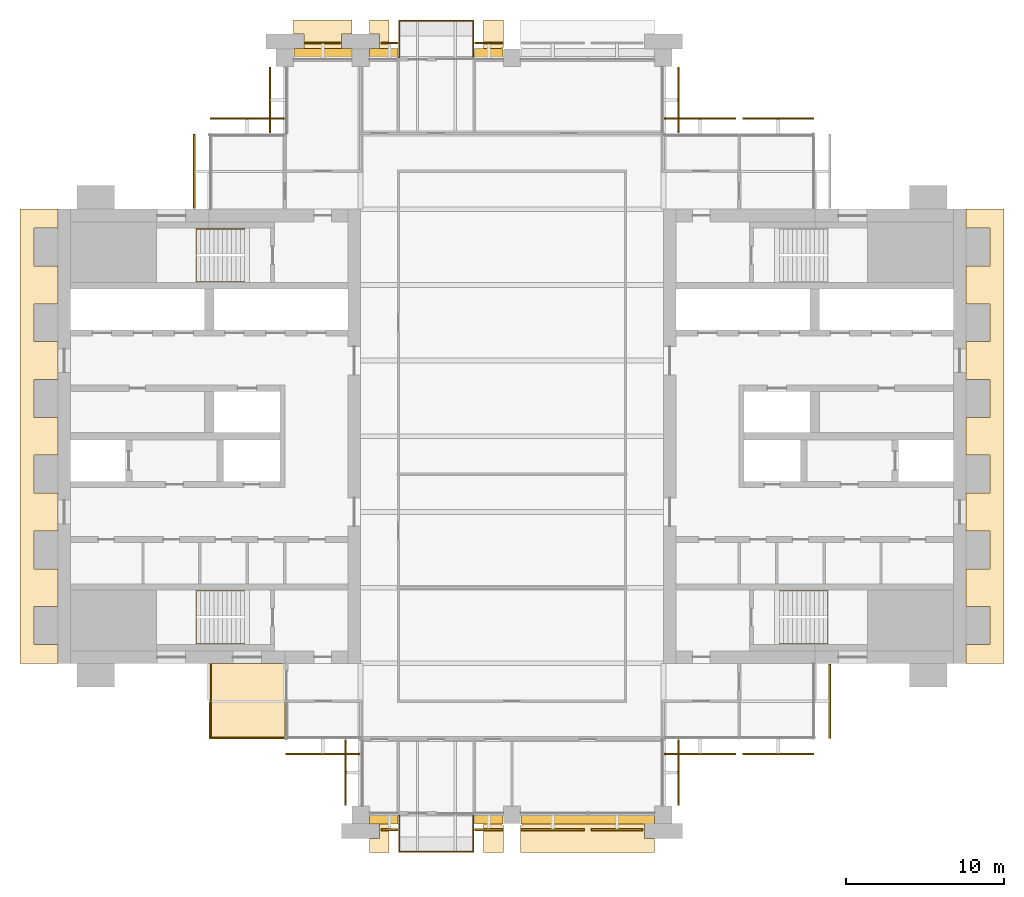
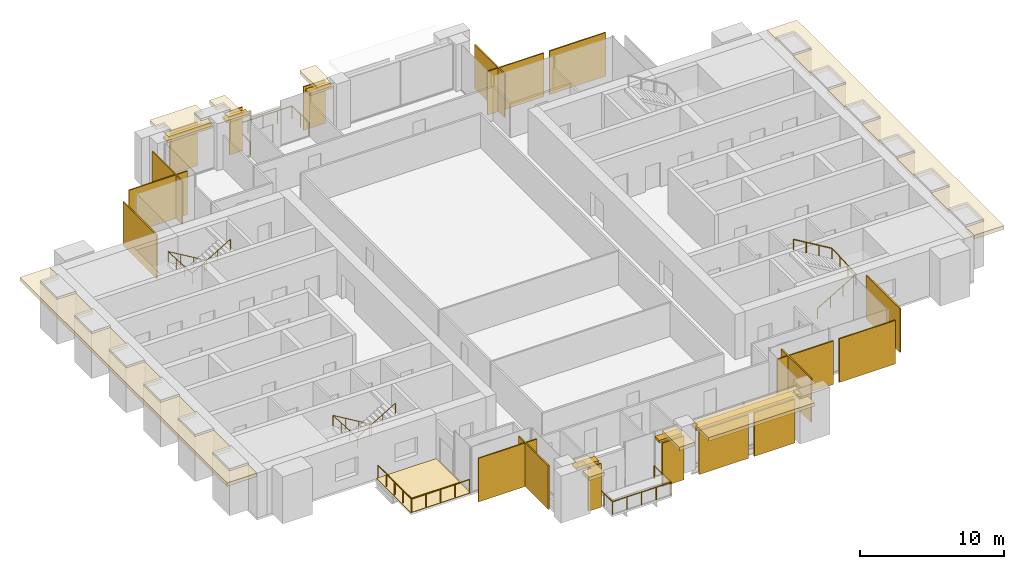
# One storey, part 13 of 14: 28 coverings, 6 railings, 6 shading devices.
"""IFC4 building model written with IfcOpenShell, lengths in metres."""

from ifc_helpers import new_model, si_unit, direction, frame, origin, origin_2d, place, context, subcontext, project, spatial, polyline, rectangle, circle, outline, extrude, material, layer, layer_set, type_object, element, save


model = new_model("IFC4")

# Units and contexts
model_context = context("Model", 3, precision=1e-05, world=origin(), true_north=direction((0.0, 1.0)))
body_context = subcontext(model_context, "Body", "Model", "MODEL_VIEW")
ifc_project = project(units=[si_unit("LENGTHUNIT", "METRE"), si_unit("AREAUNIT", "SQUARE_METRE"), si_unit("VOLUMEUNIT", "CUBIC_METRE"), si_unit("PLANEANGLEUNIT", "RADIAN"), si_unit("MASSUNIT", "GRAM", prefix="KILO")], contexts=[model_context])

# Site, building, storey
site_placement = place(None, origin())
site = spatial("IfcSite", under=ifc_project, at=site_placement, CompositionType="ELEMENT")
building_placement = place(site_placement, origin())
building = spatial("IfcBuilding", under=site, at=building_placement, Name="Baori Bourse Tower", CompositionType="ELEMENT")
storey_placement = place(building_placement, frame((0.0, 0.0, 209.199951171875)))
storey = spatial("IfcBuildingStorey", under=building, at=storey_placement, Name="L45", CompositionType="ELEMENT", Elevation=209.199951171875)

# Coverings
ifc_material_1 = material(Name="Pale anodised aluminium", Category="aluminium")
covering_type_1 = type_object("IfcCoveringType", Name="BD1 Pale metal band", PredefinedType="CLADDING", material=ifc_material_1)
covering_1_placement = place(storey_placement, frame((0.0, 0.0, 3.5400390625)))
element("IfcCovering", 1, at=covering_1_placement, inside=storey, type_object=covering_type_1, Name="Pale projecting band L45 1", PredefinedType="CLADDING", context=body_context, shape_type="SweptSolid", body=[
    extrude(outline(polyline([(57.60009765625, 10.800048828125), (57.60009765625, 9.60009765625), (60.0, 9.60009765625), (60.0, 38.39990234375), (57.60009765625, 38.39990234375), (57.60009765625, 37.199951171875), (59.10009765625, 37.199951171875), (59.10009765625, 34.800048828125), (57.60009765625, 34.800048828125), (57.60009765625, 32.39990234375), (59.10009765625, 32.39990234375), (59.10009765625, 30.0), (57.60009765625, 30.0), (57.60009765625, 27.60009765625), (59.10009765625, 27.60009765625), (59.10009765625, 25.199951171875), (57.60009765625, 25.199951171875), (57.60009765625, 22.800048828125), (59.10009765625, 22.800048828125), (59.10009765625, 20.39990234375), (57.60009765625, 20.39990234375), (57.60009765625, 18.0), (59.10009765625, 18.0), (59.10009765625, 15.60009765625), (57.60009765625, 15.60009765625), (57.60009765625, 13.199951171875), (59.10009765625, 13.199951171875), (59.10009765625, 10.800048828125), (57.60009765625, 10.800048828125)])), origin(), (0.0, 0.0, 1.0), 0.300048828125),
])
covering_2_placement = place(storey_placement, frame((0.0, 0.0, 3.5400390625)))
element("IfcCovering", 2, at=covering_2_placement, inside=storey, type_object=covering_type_1, Name="Pale projecting band L45 3", PredefinedType="CLADDING", context=body_context, shape_type="SweptSolid", body=[
    extrude(outline(polyline([(27.0, 48.0), (28.1298828125, 48.0), (28.1298828125, 48.669921875), (28.25, 48.669921875), (28.25, 50.39990234375), (27.0, 50.39990234375), (27.0, 48.0)])), origin(), (0.0, 0.0, 1.0), 0.300048828125),
])
covering_3_placement = place(storey_placement, frame((0.0, 0.0, 3.5400390625)))
element("IfcCovering", 3, at=covering_3_placement, inside=storey, type_object=covering_type_1, Name="Pale projecting band L45 4", PredefinedType="CLADDING", context=body_context, shape_type="SweptSolid", body=[
    extrude(outline(polyline([(19.8701171875, 48.0), (21.0, 48.0), (21.0, 50.39990234375), (19.75, 50.39990234375), (19.75, 49.5), (20.39990234375, 49.5), (20.39990234375, 48.550048828125), (19.8701171875, 48.550048828125), (19.8701171875, 48.0)])), origin(), (0.0, 0.0, 1.0), 0.300048828125),
])
covering_4_placement = place(storey_placement, frame((0.0, 0.0, 3.5400390625)))
element("IfcCovering", 4, at=covering_4_placement, inside=storey, type_object=covering_type_1, Name="Pale projecting band L45 5", PredefinedType="CLADDING", context=body_context, shape_type="SweptSolid", body=[
    extrude(outline(polyline([(15.070068359375, 48.0), (18.530029296875, 48.0), (18.530029296875, 48.550048828125), (18.0, 48.550048828125), (18.0, 49.5), (18.64990234375, 49.5), (18.64990234375, 50.39990234375), (14.949951171875, 50.39990234375), (14.949951171875, 49.5), (15.60009765625, 49.5), (15.60009765625, 48.550048828125), (15.070068359375, 48.550048828125), (15.070068359375, 48.0)])), origin(), (0.0, 0.0, 1.0), 0.300048828125),
])
covering_5_placement = place(storey_placement, frame((0.0, 0.0, 3.5400390625)))
element("IfcCovering", 5, at=covering_5_placement, inside=storey, type_object=covering_type_1, Name="Pale projecting band L45 6", PredefinedType="CLADDING", context=body_context, shape_type="SweptSolid", body=[
    extrude(outline(polyline([(0.0, 37.199951171875), (0.0, 38.39990234375), (-2.39990234375, 38.39990234375), (-2.39990234375, 9.60009765625), (0.0, 9.60009765625), (0.0, 10.800048828125), (-1.5, 10.800048828125), (-1.5, 13.199951171875), (0.0, 13.199951171875), (0.0, 15.60009765625), (-1.5, 15.60009765625), (-1.5, 18.0), (0.0, 18.0), (0.0, 20.39990234375), (-1.5, 20.39990234375), (-1.5, 22.800048828125), (0.0, 22.800048828125), (0.0, 25.199951171875), (-1.5, 25.199951171875), (-1.5, 27.60009765625), (0.0, 27.60009765625), (0.0, 30.0), (-1.5, 30.0), (-1.5, 32.39990234375), (0.0, 32.39990234375), (0.0, 34.800048828125), (-1.5, 34.800048828125), (-1.5, 37.199951171875), (0.0, 37.199951171875)])), origin(), (0.0, 0.0, 1.0), 0.300048828125),
])
covering_6_placement = place(storey_placement, frame((0.0, 0.0, 3.5400390625)))
element("IfcCovering", 6, at=covering_6_placement, inside=storey, type_object=covering_type_1, Name="Pale projecting band L45 7", PredefinedType="CLADDING", context=body_context, shape_type="SweptSolid", body=[
    extrude(outline(polyline([(21.0, 0.0), (19.8701171875, 0.0), (19.8701171875, -0.550048828125), (20.39990234375, -0.550048828125), (20.39990234375, -1.5), (19.75, -1.5), (19.75, -2.39990234375), (21.0, -2.39990234375), (21.0, 0.0)])), origin(), (0.0, 0.0, 1.0), 0.300048828125),
])
covering_7_placement = place(storey_placement, frame((0.0, 0.0, 3.5400390625)))
element("IfcCovering", 7, at=covering_7_placement, inside=storey, type_object=covering_type_1, Name="Pale projecting band L45 8", PredefinedType="CLADDING", context=body_context, shape_type="SweptSolid", body=[
    extrude(outline(polyline([(28.1298828125, 0.0), (27.0, 0.0), (27.0, -2.39990234375), (28.25, -2.39990234375), (28.25, -0.669921875), (28.1298828125, -0.669921875), (28.1298828125, 0.0)])), origin(), (0.0, 0.0, 1.0), 0.300048828125),
])
covering_8_placement = place(storey_placement, frame((0.0, 0.0, 3.5400390625)))
element("IfcCovering", 8, at=covering_8_placement, inside=storey, type_object=covering_type_1, Name="Pale projecting band L45 9", PredefinedType="CLADDING", context=body_context, shape_type="SweptSolid", body=[
    extrude(outline(polyline([(37.72998046875, 0.0), (29.469970703125, 0.0), (29.469970703125, -0.669921875), (29.35009765625, -0.669921875), (29.35009765625, -2.39990234375), (37.85009765625, -2.39990234375), (37.85009765625, -1.5), (37.199951171875, -1.5), (37.199951171875, -0.550048828125), (37.72998046875, -0.550048828125), (37.72998046875, 0.0)])), origin(), (0.0, 0.0, 1.0), 0.300048828125),
])

# Shading devices
ifc_material_2 = material(Name="Concrete f'c 40 MPa", Category="concrete")
ifc_layer_1 = layer(ifc_material_2, 0.199951171875)
ifc_layer_set_1 = layer_set([ifc_layer_1], Name="BS1 Brise-soleil ledge")
shading_device_type = type_object("IfcShadingDeviceType", Name="BS1 Brise-soleil ledge", PredefinedType="USERDEFINED", material=ifc_layer_set_1)
for number, where, z_axis, x_axis, name in (
    (9, (27.324951171875, 48.300048828125, 3.33984375), (0.0, 0.0, 1.0), (-1.0, 0.0, 0.0), "Brise-soleil ledge L45 2"),
    (10, (20.675048828125, 48.300048828125, 3.33984375), (0.0, 0.0, 1.0), (-1.0, 0.0, 0.0), "Brise-soleil ledge L45 3"),
):
    element("IfcShadingDevice", number, at=place(storey_placement, frame(where, z_axis=z_axis, x_axis=x_axis)), inside=storey, type_object=shading_device_type, Name=name, ObjectType="BRISE SOLEIL", PredefinedType="USERDEFINED", context=body_context, shape_type="SweptSolid", body=[
        extrude(rectangle(XDim=1.81005859375, YDim=0.60009765625, at=origin_2d()), origin(), (0.0, 0.0, 1.0), 0.199951171875),
    ])
shading_device_1_placement = place(storey_placement, frame((16.800048828125, 48.300048828125, 3.33984375), z_axis=(0.0, 0.0, 1.0), x_axis=(-1.0, 0.0, 0.0)))
element("IfcShadingDevice", 11, at=shading_device_1_placement, inside=storey, type_object=shading_device_type, Name="Brise-soleil ledge L45 4", ObjectType="BRISE SOLEIL", PredefinedType="USERDEFINED", context=body_context, shape_type="SweptSolid", body=[
    extrude(rectangle(XDim=3.659912109375, YDim=0.60009765625, at=origin_2d()), origin(), (0.0, 0.0, 1.0), 0.199951171875),
])
for number, where, z_axis, x_axis, name in (
    (12, (20.675048828125, -0.300048828125, 3.33984375), (0.0, 0.0, 1.0), (1.0, 0.0, 0.0), "Brise-soleil ledge L45 5"),
    (13, (27.324951171875, -0.300048828125, 3.33984375), (0.0, 0.0, 1.0), (1.0, 0.0, 0.0), "Brise-soleil ledge L45 6"),
):
    element("IfcShadingDevice", number, at=place(storey_placement, frame(where, z_axis=z_axis, x_axis=x_axis)), inside=storey, type_object=shading_device_type, Name=name, ObjectType="BRISE SOLEIL", PredefinedType="USERDEFINED", context=body_context, shape_type="SweptSolid", body=[
        extrude(rectangle(XDim=1.81005859375, YDim=0.60009765625, at=origin_2d()), origin(), (0.0, 0.0, 1.0), 0.199951171875),
    ])
shading_device_2_placement = place(storey_placement, frame((33.60009765625, -0.300048828125, 3.33984375), z_axis=(0.0, 0.0, 1.0), x_axis=(1.0, 0.0, 0.0)))
element("IfcShadingDevice", 14, at=shading_device_2_placement, inside=storey, type_object=shading_device_type, Name="Brise-soleil ledge L45 7", ObjectType="BRISE SOLEIL", PredefinedType="USERDEFINED", context=body_context, shape_type="SweptSolid", body=[
    extrude(rectangle(XDim=8.4599609375, YDim=0.60009765625, at=origin_2d()), origin(), (0.0, 0.0, 1.0), 0.199951171875),
])

# Railings
ifc_material_3 = material(Name="Powder-coated steel balustrade", Category="steel")
railing_type_1 = type_object("IfcRailingType", Name="Core stair handrail", PredefinedType="HANDRAIL", material=ifc_material_3)
railing_1_placement = place(storey_placement, frame((11.85009765625, 14.199951171875, 0.166748046875)))
element("IfcRailing", 15, at=railing_1_placement, inside=storey, type_object=railing_type_1, Name="L45 ST1 stair handrail 1", PredefinedType="HANDRAIL", context=body_context, shape_type="SweptSolid", body=[
    extrude(circle(Radius=0.02392578125, at=origin_2d()), frame((0.0, 0.0, 0.8759765625), z_axis=(-0.859308565015, 0.0, 0.511457515432), x_axis=(0.0, -1.0, 0.0)), (0.0, 0.0, 1.0), 3.58447265625),
    extrude(circle(Radius=0.02392578125, at=origin_2d()), frame((-3.080078125, 0.0, 2.708984375), z_axis=(0.0, -0.998763387249, 0.04971615724), x_axis=(1.0, 0.0, 0.0)), (0.0, 0.0, 1.0), 3.35400390625),
    extrude(circle(Radius=0.02392578125, at=origin_2d()), frame((-3.080078125, -3.349853515625, 2.8759765625), z_axis=(0.859308565015, 0.0, 0.511457515432), x_axis=(0.0, 1.0, 0.0)), (0.0, 0.0, 1.0), 3.58447265625),
    extrude(circle(Radius=0.02099609375, at=origin_2d()), origin(), (0.0, 0.0, 1.0), 0.851806640625),
    extrude(circle(Radius=0.02099609375, at=origin_2d()), frame((-1.026611328125, 0.0, 0.611083984375)), (0.0, 0.0, 1.0), 0.851806640625),
    extrude(circle(Radius=0.02099609375, at=origin_2d()), frame((-2.053466796875, 0.0, 1.22216796875)), (0.0, 0.0, 1.0), 0.851806640625),
    extrude(circle(Radius=0.02099609375, at=origin_2d()), frame((-3.080078125, 0.0, 1.833251953125)), (0.0, 0.0, 1.0), 0.851806640625),
    extrude(circle(Radius=0.02099609375, at=origin_2d()), frame((-3.080078125, -1.11669921875, 1.888916015625)), (0.0, 0.0, 1.0), 0.851806640625),
    extrude(circle(Radius=0.02099609375, at=origin_2d()), frame((-3.080078125, -2.233154296875, 1.9443359375)), (0.0, 0.0, 1.0), 0.851806640625),
    extrude(circle(Radius=0.02099609375, at=origin_2d()), frame((-3.080078125, -3.349853515625, 2.0)), (0.0, 0.0, 1.0), 0.851806640625),
    extrude(circle(Radius=0.02099609375, at=origin_2d()), frame((-2.053466796875, -3.349853515625, 2.611083984375)), (0.0, 0.0, 1.0), 0.851806640625),
    extrude(circle(Radius=0.02099609375, at=origin_2d()), frame((-1.026611328125, -3.349853515625, 3.22216796875)), (0.0, 0.0, 1.0), 0.851806640625),
    extrude(circle(Radius=0.02099609375, at=origin_2d()), frame((0.0, -3.349853515625, 3.833251953125)), (0.0, 0.0, 1.0), 0.851806640625),
])
railing_2_placement = place(storey_placement, frame((11.85009765625, 37.14990234375, 0.166748046875)))
element("IfcRailing", 16, at=railing_2_placement, inside=storey, type_object=railing_type_1, Name="L45 ST2 stair handrail 1", PredefinedType="HANDRAIL", context=body_context, shape_type="SweptSolid", body=[
    extrude(circle(Radius=0.02392578125, at=origin_2d()), frame((0.0, 0.0, 0.8759765625), z_axis=(-0.859308565015, 0.0, 0.511457515432), x_axis=(0.0, -1.0, 0.0)), (0.0, 0.0, 1.0), 3.58447265625),
    extrude(circle(Radius=0.02392578125, at=origin_2d()), frame((-3.080078125, 0.0, 2.708984375), z_axis=(0.0, -0.998763387249, 0.04971615724), x_axis=(1.0, 0.0, 0.0)), (0.0, 0.0, 1.0), 3.35400390625),
    extrude(circle(Radius=0.02392578125, at=origin_2d()), frame((-3.080078125, -3.349853515625, 2.8759765625), z_axis=(0.859308565015, 0.0, 0.511457515432), x_axis=(0.0, 1.0, 0.0)), (0.0, 0.0, 1.0), 3.58447265625),
    extrude(circle(Radius=0.02099609375, at=origin_2d()), origin(), (0.0, 0.0, 1.0), 0.851806640625),
    extrude(circle(Radius=0.02099609375, at=origin_2d()), frame((-1.026611328125, 0.0, 0.611083984375)), (0.0, 0.0, 1.0), 0.851806640625),
    extrude(circle(Radius=0.02099609375, at=origin_2d()), frame((-2.053466796875, 0.0, 1.22216796875)), (0.0, 0.0, 1.0), 0.851806640625),
    extrude(circle(Radius=0.02099609375, at=origin_2d()), frame((-3.080078125, 0.0, 1.833251953125)), (0.0, 0.0, 1.0), 0.851806640625),
    extrude(circle(Radius=0.02099609375, at=origin_2d()), frame((-3.080078125, -1.11669921875, 1.888916015625)), (0.0, 0.0, 1.0), 0.851806640625),
    extrude(circle(Radius=0.02099609375, at=origin_2d()), frame((-3.080078125, -2.233154296875, 1.9443359375)), (0.0, 0.0, 1.0), 0.851806640625),
    extrude(circle(Radius=0.02099609375, at=origin_2d()), frame((-3.080078125, -3.349853515625, 2.0)), (0.0, 0.0, 1.0), 0.851806640625),
    extrude(circle(Radius=0.02099609375, at=origin_2d()), frame((-2.053466796875, -3.349853515625, 2.611083984375)), (0.0, 0.0, 1.0), 0.851806640625),
    extrude(circle(Radius=0.02099609375, at=origin_2d()), frame((-1.026611328125, -3.349853515625, 3.22216796875)), (0.0, 0.0, 1.0), 0.851806640625),
    extrude(circle(Radius=0.02099609375, at=origin_2d()), frame((0.0, -3.349853515625, 3.833251953125)), (0.0, 0.0, 1.0), 0.851806640625),
])
railing_3_placement = place(storey_placement, frame((45.75, 10.85009765625, 0.166748046875)))
element("IfcRailing", 17, at=railing_3_placement, inside=storey, type_object=railing_type_1, Name="L45 ST3 stair handrail 1", PredefinedType="HANDRAIL", context=body_context, shape_type="SweptSolid", body=[
    extrude(circle(Radius=0.02392578125, at=origin_2d()), frame((0.0, 0.0, 0.8759765625), z_axis=(0.859308565015, 0.0, 0.511457515432), x_axis=(0.0, 1.0, 0.0)), (0.0, 0.0, 1.0), 3.58447265625),
    extrude(circle(Radius=0.02392578125, at=origin_2d()), frame((3.080078125, 0.0, 2.708984375), z_axis=(0.0, 0.998763387249, 0.04971615724), x_axis=(-1.0, 0.0, 0.0)), (0.0, 0.0, 1.0), 3.35400390625),
    extrude(circle(Radius=0.02392578125, at=origin_2d()), frame((3.080078125, 3.349853515625, 2.8759765625), z_axis=(-0.859308565015, 0.0, 0.511457515432), x_axis=(0.0, -1.0, 0.0)), (0.0, 0.0, 1.0), 3.58447265625),
    extrude(circle(Radius=0.02099609375, at=origin_2d()), origin(), (0.0, 0.0, 1.0), 0.851806640625),
    extrude(circle(Radius=0.02099609375, at=origin_2d()), frame((1.026611328125, 0.0, 0.611083984375)), (0.0, 0.0, 1.0), 0.851806640625),
    extrude(circle(Radius=0.02099609375, at=origin_2d()), frame((2.053466796875, 0.0, 1.22216796875)), (0.0, 0.0, 1.0), 0.851806640625),
    extrude(circle(Radius=0.02099609375, at=origin_2d()), frame((3.080078125, 0.0, 1.833251953125)), (0.0, 0.0, 1.0), 0.851806640625),
    extrude(circle(Radius=0.02099609375, at=origin_2d()), frame((3.080078125, 1.11669921875, 1.888916015625)), (0.0, 0.0, 1.0), 0.851806640625),
    extrude(circle(Radius=0.02099609375, at=origin_2d()), frame((3.080078125, 2.233154296875, 1.9443359375)), (0.0, 0.0, 1.0), 0.851806640625),
    extrude(circle(Radius=0.02099609375, at=origin_2d()), frame((3.080078125, 3.349853515625, 2.0)), (0.0, 0.0, 1.0), 0.851806640625),
    extrude(circle(Radius=0.02099609375, at=origin_2d()), frame((2.053466796875, 3.349853515625, 2.611083984375)), (0.0, 0.0, 1.0), 0.851806640625),
    extrude(circle(Radius=0.02099609375, at=origin_2d()), frame((1.026611328125, 3.349853515625, 3.22216796875)), (0.0, 0.0, 1.0), 0.851806640625),
    extrude(circle(Radius=0.02099609375, at=origin_2d()), frame((0.0, 3.349853515625, 3.833251953125)), (0.0, 0.0, 1.0), 0.851806640625),
])
ifc_material_4 = material(Name="Stainless steel", Category="steel")
railing_type_2 = type_object("IfcRailingType", Name="GD1 Guard", PredefinedType="GUARDRAIL", material=ifc_material_4)
railing_4_placement = place(storey_placement, frame((14.3701171875, 4.89990234375, 0.0400390625)))
element("IfcRailing", 18, at=railing_4_placement, inside=storey, type_object=railing_type_2, Name="Guard terrace SW L45 1", PredefinedType="GUARDRAIL", context=body_context, shape_type="SweptSolid", body=[
    extrude(circle(Radius=0.02392578125, at=origin_2d()), frame((0.0, 0.0, 1.076171875), z_axis=(-1.0, 0.0, 0.0), x_axis=(0.0, -1.0, 0.0)), (0.0, 0.0, 1.0), 4.670166015625),
    extrude(circle(Radius=0.02392578125, at=origin_2d()), frame((-4.670166015625, 0.0, 1.076171875), z_axis=(0.0, 1.0, 0.0), x_axis=(-1.0, 0.0, 0.0)), (0.0, 0.0, 1.0), 4.670166015625),
    extrude(circle(Radius=0.02099609375, at=origin_2d()), origin(), (0.0, 0.0, 1.0), 1.052001953125),
    extrude(circle(Radius=0.02099609375, at=origin_2d()), frame((-1.16748046875, 0.0, 0.0)), (0.0, 0.0, 1.0), 1.052001953125),
    extrude(circle(Radius=0.02099609375, at=origin_2d()), frame((-2.3349609375, 0.0, 0.0)), (0.0, 0.0, 1.0), 1.052001953125),
    extrude(circle(Radius=0.02099609375, at=origin_2d()), frame((-3.502685546875, 0.0, 0.0)), (0.0, 0.0, 1.0), 1.052001953125),
    extrude(circle(Radius=0.02099609375, at=origin_2d()), frame((-4.670166015625, 0.0, 0.0)), (0.0, 0.0, 1.0), 1.052001953125),
    extrude(circle(Radius=0.02099609375, at=origin_2d()), frame((-4.670166015625, 1.16748046875, 0.0)), (0.0, 0.0, 1.0), 1.052001953125),
    extrude(circle(Radius=0.02099609375, at=origin_2d()), frame((-4.670166015625, 2.3349609375, 0.0)), (0.0, 0.0, 1.0), 1.052001953125),
    extrude(circle(Radius=0.02099609375, at=origin_2d()), frame((-4.670166015625, 3.502685546875, 0.0)), (0.0, 0.0, 1.0), 1.052001953125),
    extrude(circle(Radius=0.02099609375, at=origin_2d()), frame((-4.670166015625, 4.670166015625, 0.0)), (0.0, 0.0, 1.0), 1.052001953125),
])
railing_5_placement = place(storey_placement, frame((21.64990234375, -0.030029296875, 0.0)))
element("IfcRailing", 19, at=railing_5_placement, inside=storey, type_object=railing_type_2, Name="Guard balcony S L45 2", PredefinedType="GUARDRAIL", context=body_context, shape_type="SweptSolid", body=[
    extrude(circle(Radius=0.02392578125, at=origin_2d()), frame((0.0, 0.0, 1.076171875), z_axis=(0.0, -1.0, 0.0), x_axis=(1.0, 0.0, 0.0)), (0.0, 0.0, 1.0), 2.320068359375),
    extrude(circle(Radius=0.02392578125, at=origin_2d()), frame((0.0, -2.320068359375, 1.076171875), z_axis=(1.0, 0.0, 0.0), x_axis=(0.0, 1.0, 0.0)), (0.0, 0.0, 1.0), 4.7001953125),
    extrude(circle(Radius=0.02392578125, at=origin_2d()), frame((4.7001953125, -2.320068359375, 1.076171875), z_axis=(0.0, 1.0, 0.0), x_axis=(-1.0, 0.0, 0.0)), (0.0, 0.0, 1.0), 2.320068359375),
    extrude(circle(Radius=0.02099609375, at=origin_2d()), origin(), (0.0, 0.0, 1.0), 1.052001953125),
    extrude(circle(Radius=0.02099609375, at=origin_2d()), frame((0.0, -1.16015625, 0.0)), (0.0, 0.0, 1.0), 1.052001953125),
    extrude(circle(Radius=0.02099609375, at=origin_2d()), frame((0.0, -2.320068359375, 0.0)), (0.0, 0.0, 1.0), 1.052001953125),
    extrude(circle(Radius=0.02099609375, at=origin_2d()), frame((1.175048828125, -2.320068359375, 0.0)), (0.0, 0.0, 1.0), 1.052001953125),
    extrude(circle(Radius=0.02099609375, at=origin_2d()), frame((2.35009765625, -2.320068359375, 0.0)), (0.0, 0.0, 1.0), 1.052001953125),
    extrude(circle(Radius=0.02099609375, at=origin_2d()), frame((3.525146484375, -2.320068359375, 0.0)), (0.0, 0.0, 1.0), 1.052001953125),
    extrude(circle(Radius=0.02099609375, at=origin_2d()), frame((4.7001953125, -2.320068359375, 0.0)), (0.0, 0.0, 1.0), 1.052001953125),
    extrude(circle(Radius=0.02099609375, at=origin_2d()), frame((4.7001953125, -1.16015625, 0.0)), (0.0, 0.0, 1.0), 1.052001953125),
    extrude(circle(Radius=0.02099609375, at=origin_2d()), frame((4.7001953125, 0.0, 0.0)), (0.0, 0.0, 1.0), 1.052001953125),
])
railing_6_placement = place(storey_placement, frame((21.64990234375, 48.030029296875, 0.0)))
element("IfcRailing", 20, at=railing_6_placement, inside=storey, type_object=railing_type_2, Name="Guard balcony N L45 3", PredefinedType="GUARDRAIL", context=body_context, shape_type="SweptSolid", body=[
    extrude(circle(Radius=0.02392578125, at=origin_2d()), frame((0.0, 0.0, 1.076171875), z_axis=(0.0, 1.0, 0.0), x_axis=(-1.0, 0.0, 0.0)), (0.0, 0.0, 1.0), 2.320068359375),
    extrude(circle(Radius=0.02392578125, at=origin_2d()), frame((0.0, 2.320068359375, 1.076171875), z_axis=(1.0, 0.0, 0.0), x_axis=(0.0, 1.0, 0.0)), (0.0, 0.0, 1.0), 4.7001953125),
    extrude(circle(Radius=0.02392578125, at=origin_2d()), frame((4.7001953125, 2.320068359375, 1.076171875), z_axis=(0.0, -1.0, 0.0), x_axis=(1.0, 0.0, 0.0)), (0.0, 0.0, 1.0), 2.320068359375),
    extrude(circle(Radius=0.02099609375, at=origin_2d()), origin(), (0.0, 0.0, 1.0), 1.052001953125),
    extrude(circle(Radius=0.02099609375, at=origin_2d()), frame((0.0, 1.16015625, 0.0)), (0.0, 0.0, 1.0), 1.052001953125),
    extrude(circle(Radius=0.02099609375, at=origin_2d()), frame((0.0, 2.320068359375, 0.0)), (0.0, 0.0, 1.0), 1.052001953125),
    extrude(circle(Radius=0.02099609375, at=origin_2d()), frame((1.175048828125, 2.320068359375, 0.0)), (0.0, 0.0, 1.0), 1.052001953125),
    extrude(circle(Radius=0.02099609375, at=origin_2d()), frame((2.35009765625, 2.320068359375, 0.0)), (0.0, 0.0, 1.0), 1.052001953125),
    extrude(circle(Radius=0.02099609375, at=origin_2d()), frame((3.525146484375, 2.320068359375, 0.0)), (0.0, 0.0, 1.0), 1.052001953125),
    extrude(circle(Radius=0.02099609375, at=origin_2d()), frame((4.7001953125, 2.320068359375, 0.0)), (0.0, 0.0, 1.0), 1.052001953125),
    extrude(circle(Radius=0.02099609375, at=origin_2d()), frame((4.7001953125, 1.16015625, 0.0)), (0.0, 0.0, 1.0), 1.052001953125),
    extrude(circle(Radius=0.02099609375, at=origin_2d()), frame((4.7001953125, 0.0, 0.0)), (0.0, 0.0, 1.0), 1.052001953125),
])

# Coverings
ifc_material_5 = material(Name="Pale anodised aluminium", Category="aluminium")
ifc_layer_2 = layer(ifc_material_5, 0.10009765625)
ifc_layer_set_2 = layer_set([ifc_layer_2], Name="OS3 Outer skin screen panel")
covering_type_2 = type_object("IfcCoveringType", Name="OS3 Outer skin screen panel", PredefinedType="CLADDING", material=ifc_layer_set_2)
covering_9_placement = place(storey_placement, frame((0.0, 0.0, -0.159912109375)))
element("IfcCovering", 21, at=covering_9_placement, inside=storey, type_object=covering_type_2, Name="Outer skin screen L45 2", PredefinedType="CLADDING", context=body_context, shape_type="SweptSolid", body=[
    extrude(outline(polyline([(43.425048828125, 44.10009765625), (47.949951171875, 44.10009765625), (47.949951171875, 44.199951171875), (43.425048828125, 44.199951171875), (43.425048828125, 44.10009765625)])), origin(), (0.0, 0.0, 1.0), 3.699951171875),
])
covering_10_placement = place(storey_placement, frame((0.0, 0.0, -0.159912109375)))
element("IfcCovering", 22, at=covering_10_placement, inside=storey, type_object=covering_type_2, Name="Outer skin screen L45 3", PredefinedType="CLADDING", context=body_context, shape_type="SweptSolid", body=[
    extrude(outline(polyline([(38.449951171875, 44.10009765625), (42.97509765625, 44.10009765625), (42.97509765625, 44.199951171875), (38.449951171875, 44.199951171875), (38.449951171875, 44.10009765625)])), origin(), (0.0, 0.0, 1.0), 3.699951171875),
])
covering_11_placement = place(storey_placement, frame((0.0, 0.0, -0.159912109375)))
element("IfcCovering", 23, at=covering_11_placement, inside=storey, type_object=covering_type_2, Name="Outer skin screen L45 4", PredefinedType="CLADDING", context=body_context, shape_type="SweptSolid", body=[
    extrude(outline(polyline([(39.300048828125, 47.39990234375), (39.300048828125, 43.25), (39.39990234375, 43.25), (39.39990234375, 47.39990234375), (39.300048828125, 47.39990234375)])), origin(), (0.0, 0.0, 1.0), 3.699951171875),
])
covering_12_placement = place(storey_placement, frame((0.0, 0.0, -0.159912109375)))
element("IfcCovering", 24, at=covering_12_placement, inside=storey, type_object=covering_type_2, Name="Outer skin screen L45 7", PredefinedType="CLADDING", context=body_context, shape_type="SweptSolid", body=[
    extrude(outline(polyline([(26.449951171875, 48.89990234375), (28.199951171875, 48.89990234375), (28.199951171875, 49.0), (26.449951171875, 49.0), (26.449951171875, 48.89990234375)])), origin(), (0.0, 0.0, 1.0), 3.699951171875),
])
covering_13_placement = place(storey_placement, frame((0.0, 0.0, -0.159912109375)))
element("IfcCovering", 25, at=covering_13_placement, inside=storey, type_object=covering_type_2, Name="Outer skin screen L45 8", PredefinedType="CLADDING", context=body_context, shape_type="SweptSolid", body=[
    extrude(outline(polyline([(20.5, 48.89990234375), (21.550048828125, 48.89990234375), (21.550048828125, 49.0), (20.5, 49.0), (20.5, 48.89990234375)])), origin(), (0.0, 0.0, 1.0), 3.699951171875),
])
covering_14_placement = place(storey_placement, frame((0.0, 0.0, -0.159912109375)))
element("IfcCovering", 26, at=covering_14_placement, inside=storey, type_object=covering_type_2, Name="Outer skin screen L45 9", PredefinedType="CLADDING", context=body_context, shape_type="SweptSolid", body=[
    extrude(outline(polyline([(15.699951171875, 48.89990234375), (17.89990234375, 48.89990234375), (17.89990234375, 49.0), (15.699951171875, 49.0), (15.699951171875, 48.89990234375)])), origin(), (0.0, 0.0, 1.0), 3.699951171875),
])
covering_15_placement = place(storey_placement, frame((0.0, 0.0, -0.159912109375)))
element("IfcCovering", 27, at=covering_15_placement, inside=storey, type_object=covering_type_2, Name="Outer skin screen L45 10", PredefinedType="CLADDING", context=body_context, shape_type="SweptSolid", body=[
    extrude(outline(polyline([(13.5, 43.25), (13.5, 47.39990234375), (13.39990234375, 47.39990234375), (13.39990234375, 43.25), (13.5, 43.25)])), origin(), (0.0, 0.0, 1.0), 3.699951171875),
])
covering_16_placement = place(storey_placement, frame((0.0, 0.0, -0.159912109375)))
element("IfcCovering", 28, at=covering_16_placement, inside=storey, type_object=covering_type_2, Name="Outer skin screen L45 11", PredefinedType="CLADDING", context=body_context, shape_type="SweptSolid", body=[
    extrude(outline(polyline([(9.64990234375, 44.10009765625), (14.35009765625, 44.10009765625), (14.35009765625, 44.199951171875), (9.64990234375, 44.199951171875), (9.64990234375, 44.10009765625)])), origin(), (0.0, 0.0, 1.0), 3.699951171875),
])
covering_17_placement = place(storey_placement, frame((0.0, 0.0, -0.159912109375)))
element("IfcCovering", 29, at=covering_17_placement, inside=storey, type_object=covering_type_2, Name="Outer skin screen L45 12", PredefinedType="CLADDING", context=body_context, shape_type="SweptSolid", body=[
    extrude(outline(polyline([(8.699951171875, 38.449951171875), (8.699951171875, 43.14990234375), (8.60009765625, 43.14990234375), (8.60009765625, 38.449951171875), (8.699951171875, 38.449951171875)])), origin(), (0.0, 0.0, 1.0), 3.699951171875),
])
covering_18_placement = place(storey_placement, frame((0.0, 0.0, -0.159912109375)))
element("IfcCovering", 30, at=covering_18_placement, inside=storey, type_object=covering_type_2, Name="Outer skin screen L45 13", PredefinedType="CLADDING", context=body_context, shape_type="SweptSolid", body=[
    extrude(outline(polyline([(19.14990234375, 3.89990234375), (14.449951171875, 3.89990234375), (14.449951171875, 3.800048828125), (19.14990234375, 3.800048828125), (19.14990234375, 3.89990234375)])), origin(), (0.0, 0.0, 1.0), 3.699951171875),
])
covering_19_placement = place(storey_placement, frame((0.0, 0.0, -0.159912109375)))
element("IfcCovering", 31, at=covering_19_placement, inside=storey, type_object=covering_type_2, Name="Outer skin screen L45 14", PredefinedType="CLADDING", context=body_context, shape_type="SweptSolid", body=[
    extrude(outline(polyline([(18.300048828125, 0.60009765625), (18.300048828125, 4.75), (18.199951171875, 4.75), (18.199951171875, 0.60009765625), (18.300048828125, 0.60009765625)])), origin(), (0.0, 0.0, 1.0), 3.699951171875),
])
covering_20_placement = place(storey_placement, frame((0.0, 0.0, -0.159912109375)))
element("IfcCovering", 32, at=covering_20_placement, inside=storey, type_object=covering_type_2, Name="Outer skin screen L45 15", PredefinedType="CLADDING", context=body_context, shape_type="SweptSolid", body=[
    extrude(outline(polyline([(21.550048828125, -0.89990234375), (20.5, -0.89990234375), (20.5, -1.0), (21.550048828125, -1.0), (21.550048828125, -0.89990234375)])), origin(), (0.0, 0.0, 1.0), 3.699951171875),
])
covering_21_placement = place(storey_placement, frame((0.0, 0.0, -0.159912109375)))
element("IfcCovering", 33, at=covering_21_placement, inside=storey, type_object=covering_type_2, Name="Outer skin screen L45 16", PredefinedType="CLADDING", context=body_context, shape_type="SweptSolid", body=[
    extrude(outline(polyline([(28.199951171875, -0.89990234375), (26.449951171875, -0.89990234375), (26.449951171875, -1.0), (28.199951171875, -1.0), (28.199951171875, -0.89990234375)])), origin(), (0.0, 0.0, 1.0), 3.699951171875),
])
covering_22_placement = place(storey_placement, frame((0.0, 0.0, -0.159912109375)))
element("IfcCovering", 34, at=covering_22_placement, inside=storey, type_object=covering_type_2, Name="Outer skin screen L45 17", PredefinedType="CLADDING", context=body_context, shape_type="SweptSolid", body=[
    extrude(outline(polyline([(33.375, -0.89990234375), (29.39990234375, -0.89990234375), (29.39990234375, -1.0), (33.375, -1.0), (33.375, -0.89990234375)])), origin(), (0.0, 0.0, 1.0), 3.699951171875),
])
covering_23_placement = place(storey_placement, frame((0.0, 0.0, -0.159912109375)))
element("IfcCovering", 35, at=covering_23_placement, inside=storey, type_object=covering_type_2, Name="Outer skin screen L45 18", PredefinedType="CLADDING", context=body_context, shape_type="SweptSolid", body=[
    extrude(outline(polyline([(37.10009765625, -0.89990234375), (33.824951171875, -0.89990234375), (33.824951171875, -1.0), (37.10009765625, -1.0), (37.10009765625, -0.89990234375)])), origin(), (0.0, 0.0, 1.0), 3.699951171875),
])
covering_24_placement = place(storey_placement, frame((0.0, 0.0, -0.159912109375)))
element("IfcCovering", 36, at=covering_24_placement, inside=storey, type_object=covering_type_2, Name="Outer skin screen L45 19", PredefinedType="CLADDING", context=body_context, shape_type="SweptSolid", body=[
    extrude(outline(polyline([(39.300048828125, 4.75), (39.300048828125, 0.60009765625), (39.39990234375, 0.60009765625), (39.39990234375, 4.75), (39.300048828125, 4.75)])), origin(), (0.0, 0.0, 1.0), 3.699951171875),
])
covering_25_placement = place(storey_placement, frame((0.0, 0.0, -0.159912109375)))
element("IfcCovering", 37, at=covering_25_placement, inside=storey, type_object=covering_type_2, Name="Outer skin screen L45 20", PredefinedType="CLADDING", context=body_context, shape_type="SweptSolid", body=[
    extrude(outline(polyline([(42.97509765625, 3.89990234375), (38.449951171875, 3.89990234375), (38.449951171875, 3.800048828125), (42.97509765625, 3.800048828125), (42.97509765625, 3.89990234375)])), origin(), (0.0, 0.0, 1.0), 3.699951171875),
])
covering_26_placement = place(storey_placement, frame((0.0, 0.0, -0.159912109375)))
element("IfcCovering", 38, at=covering_26_placement, inside=storey, type_object=covering_type_2, Name="Outer skin screen L45 21", PredefinedType="CLADDING", context=body_context, shape_type="SweptSolid", body=[
    extrude(outline(polyline([(47.949951171875, 3.89990234375), (43.425048828125, 3.89990234375), (43.425048828125, 3.800048828125), (47.949951171875, 3.800048828125), (47.949951171875, 3.89990234375)])), origin(), (0.0, 0.0, 1.0), 3.699951171875),
])
covering_27_placement = place(storey_placement, frame((0.0, 0.0, -0.159912109375)))
element("IfcCovering", 39, at=covering_27_placement, inside=storey, type_object=covering_type_2, Name="Outer skin screen L45 22", PredefinedType="CLADDING", context=body_context, shape_type="SweptSolid", body=[
    extrude(outline(polyline([(48.89990234375, 9.550048828125), (48.89990234375, 4.85009765625), (49.0, 4.85009765625), (49.0, 9.550048828125), (48.89990234375, 9.550048828125)])), origin(), (0.0, 0.0, 1.0), 3.699951171875),
])
ifc_material_6 = material(Name="Granite paving", Category="masonry")
ifc_layer_3 = layer(ifc_material_6, 0.0400390625)
ifc_layer_set_3 = layer_set([ifc_layer_3], Name="PV1 Deck paving")
covering_type_3 = type_object("IfcCoveringType", Name="PV1 Deck paving", PredefinedType="FLOORING", material=ifc_layer_set_3)
covering_28_placement = place(storey_placement, origin())
element("IfcCovering", 40, at=covering_28_placement, inside=storey, type_object=covering_type_3, Name="Terrace paving L45 1", PredefinedType="FLOORING", context=body_context, shape_type="SweptSolid", body=[
    extrude(outline(polyline([(14.39990234375, 9.60009765625), (9.60009765625, 9.60009765625), (9.60009765625, 4.800048828125), (14.39990234375, 4.800048828125), (14.39990234375, 9.60009765625)])), origin(), (0.0, 0.0, 1.0), 0.0400390625),
])

save(model, "model.ifc")
